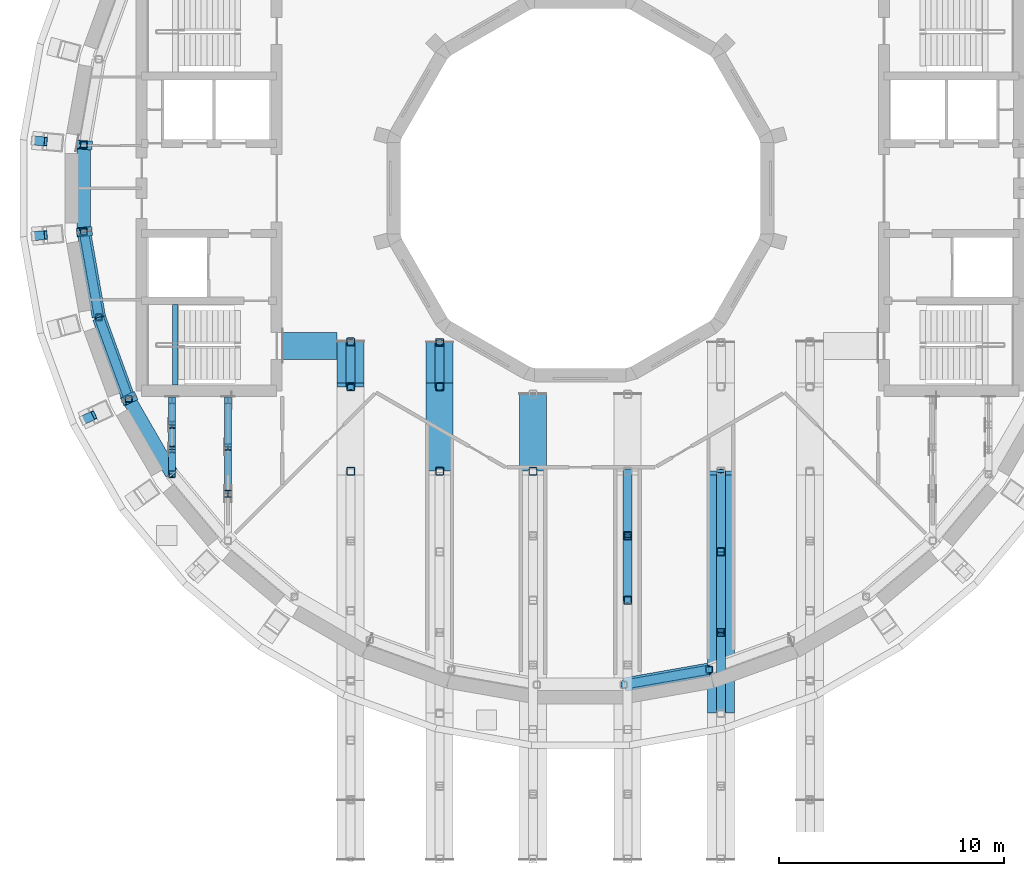
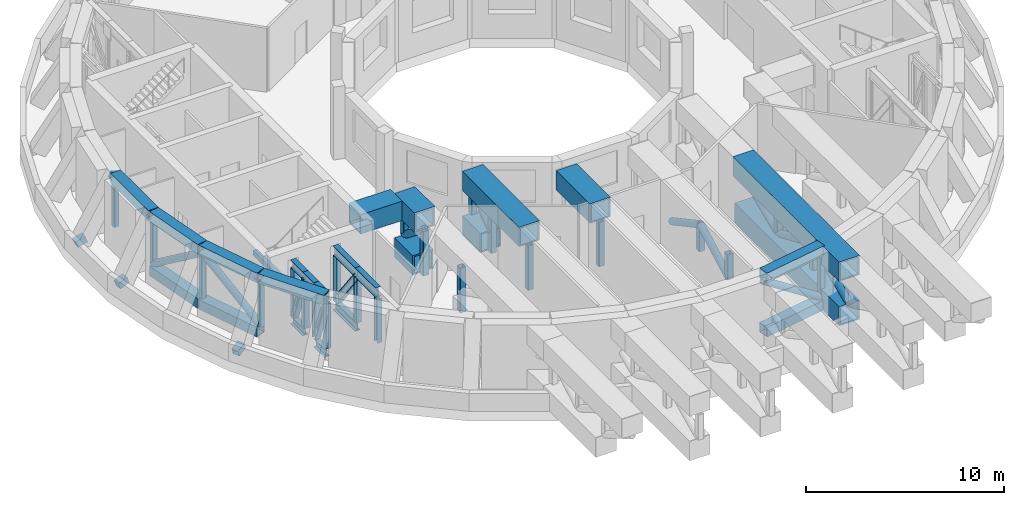
# One storey, part 3 of 20: 60 members, 7 beams.
"""IFC4 building model written with IfcOpenShell, lengths in metres."""

from ifc_helpers import new_model, si_unit, direction, frame, origin, origin_2d, place, context, subcontext, project, spatial, rectangle, hollow_rectangle, hollow_circle, i_section, extrude, material, material_profile, profile_set, type_object, element, save


model = new_model("IFC4")

# Units and contexts
model_context = context("Model", 3, precision=1e-05, world=origin(), true_north=direction((0.0, 1.0)))
body_context = subcontext(model_context, "Body", "Model", "MODEL_VIEW")
ifc_project = project(units=[si_unit("LENGTHUNIT", "METRE"), si_unit("AREAUNIT", "SQUARE_METRE"), si_unit("VOLUMEUNIT", "CUBIC_METRE"), si_unit("PLANEANGLEUNIT", "RADIAN"), si_unit("MASSUNIT", "GRAM", prefix="KILO")], contexts=[model_context])

# Site, building, storey
site_placement = place(None, origin())
site = spatial("IfcSite", under=ifc_project, at=site_placement, CompositionType="ELEMENT")
building_placement = place(site_placement, origin())
building = spatial("IfcBuilding", under=site, at=building_placement, Name="Saqina Gate Tower", CompositionType="ELEMENT")
storey_placement = place(building_placement, frame((0.0, 0.0, 220.199951171875)))
storey = spatial("IfcBuildingStorey", under=building, at=storey_placement, Name="L63", CompositionType="ELEMENT", Elevation=220.199951171875)

# Beam
ifc_material_1 = material(Name="Concrete C40/50", Category="concrete")
ifc_material_profile_1 = material_profile(ifc_material_1, rectangle(XDim=0.25, YDim=0.300048828125, at=origin_2d()), Name="STAIR LANDING BEAM")
ifc_profile_set_1 = profile_set([ifc_material_profile_1], Name="Concrete C40/50")
beam_type_1 = type_object("IfcBeamType", Name="STAIR LANDING BEAM", PredefinedType="BEAM", material=ifc_profile_set_1)
beam_placement = place(storey_placement, frame((-18.0, -8.75, 1.85009765625), z_axis=(0.0, 1.0, 0.0), x_axis=(-1.0, 0.0, 0.0)))
element("IfcBeam", 1, at=beam_placement, inside=storey, type_object=beam_type_1, Name="EXIT STAIR 4 LANDING BEAM", PredefinedType="BEAM", context=body_context, shape_type="SweptSolid", body=[
    extrude(rectangle(XDim=0.25, YDim=0.300048828125, at=origin_2d()), origin(), (0.0, 0.0, 1.0), 3.574951171875),
])

# Members
ifc_material_2 = material(Name="Steel S460", Category="steel")
ifc_material_profile_2 = material_profile(ifc_material_2, hollow_rectangle(XDim=0.60009765625, YDim=0.60009765625, WallThickness=0.0400390625, at=origin_2d()), Name="BOX 600x600x40")
ifc_profile_set_2 = profile_set([ifc_material_profile_2], Name="Steel S460")
member_type_1 = type_object("IfcMemberType", Name="STR-BELT TRUSS L63 CHORD-BOX 600x600x40", PredefinedType="CHORD", material=ifc_profile_set_2)
for number, where, z_axis, x_axis, name in (
    (2, (-22.065673828125, 1.904296875, 3.650146484375), (0.0, -1.0, 0.0), (1.0, 0.0, 0.0), "BELT TRUSS L63 CHORD 042"),
    (3, (-22.06103515625, -1.956298828125, 0.300048828125), (0.173591515108, -0.984817742469, 0.0), (0.984817742469, 0.173591515108, 0.0), "BELT TRUSS L63 CHORD 043"),
    (4, (-22.06103515625, -1.956298828125, 3.650146484375), (0.173591515108, -0.984817742469, 0.0), (0.984817742469, 0.173591515108, 0.0), "BELT TRUSS L63 CHORD 044"),
    (5, (-21.38623046875, -5.757568359375, 0.300048828125), (0.341995255876, -0.939701678704, 0.0), (0.939701678704, 0.341995255876, 0.0), "BELT TRUSS L63 CHORD 046"),
    (6, (-21.38623046875, -5.757568359375, 3.650146484375), (0.341995255876, -0.939701678704, 0.0), (0.939701678704, 0.341995255876, 0.0), "BELT TRUSS L63 CHORD 047"),
):
    element("IfcMember", number, at=place(storey_placement, frame(where, z_axis=z_axis, x_axis=x_axis)), inside=storey, type_object=member_type_1, Name=name, PredefinedType="CHORD", context=body_context, shape_type="SweptSolid", body=[
        extrude(hollow_rectangle(XDim=0.60009765625, YDim=0.60009765625, WallThickness=0.0400390625, at=origin_2d()), origin(), (0.0, 0.0, 1.0), 3.80859375),
    ])
member_1_placement = place(storey_placement, frame((-20.0615234375, -9.3837890625, 3.650146484375), z_axis=(0.500027655771, -0.866009436129, 0.0), x_axis=(0.866009436129, 0.500027655771, 0.0)))
element("IfcMember", 7, at=member_1_placement, inside=storey, type_object=member_type_1, Name="BELT TRUSS L63 CHORD 049", PredefinedType="CHORD", context=body_context, shape_type="SweptSolid", body=[
    extrude(hollow_rectangle(XDim=0.60009765625, YDim=0.60009765625, WallThickness=0.0400390625, at=origin_2d()), origin(), (0.0, 0.0, 1.0), 3.808349609375),
])
for number, where, z_axis, x_axis, name in (
    (8, (1.956298828125, -22.06103515625, 0.300048828125), (0.984817742469, 0.173591515108, 0.0), (-0.173591515108, 0.984817742469, 0.0), "BELT TRUSS L63 CHORD 064"),
    (9, (1.956298828125, -22.06103515625, 3.650146484375), (0.984817742469, 0.173591515108, 0.0), (-0.173591515108, 0.984817742469, 0.0), "BELT TRUSS L63 CHORD 065"),
):
    element("IfcMember", number, at=place(storey_placement, frame(where, z_axis=z_axis, x_axis=x_axis)), inside=storey, type_object=member_type_1, Name=name, PredefinedType="CHORD", context=body_context, shape_type="SweptSolid", body=[
        extrude(hollow_rectangle(XDim=0.60009765625, YDim=0.60009765625, WallThickness=0.0400390625, at=origin_2d()), origin(), (0.0, 0.0, 1.0), 3.80859375),
    ])
ifc_material_3 = material(Name="Steel S460", Category="steel")
ifc_material_profile_3 = material_profile(ifc_material_3, hollow_circle(Radius=0.203125, WallThickness=0.01611328125, at=origin_2d()), Name="CHS 406.4x16")
ifc_profile_set_3 = profile_set([ifc_material_profile_3], Name="Steel S460")
member_type_2 = type_object("IfcMemberType", Name="STR-BELT TRUSS L63 DIAGONAL-CHS 406.4x16", PredefinedType="BRACE", material=ifc_profile_set_3)
for number, where, z_axis, x_axis, name in (
    (10, (-22.0673828125, -1.9208984375, 0.593017578125), (0.141436387066, -0.802139045921, 0.580145412309), (0.984808250391, 0.17364535687, 0.0), "BELT TRUSS L63 DIAGONAL 045"),
    (11, (-21.398681640625, -5.7236328125, 3.35693359375), (0.27861538892, -0.765385221428, -0.580136990612), (0.939677645305, 0.342061285319, 0.0), "BELT TRUSS L63 DIAGONAL 048"),
    (12, (1.9208984375, -22.0673828125, 3.35693359375), (0.802139045921, 0.141436387066, -0.580145412309), (-0.17364535687, 0.984808250391, 0.0), "BELT TRUSS L63 DIAGONAL 066"),
):
    element("IfcMember", number, at=place(storey_placement, frame(where, z_axis=z_axis, x_axis=x_axis)), inside=storey, type_object=member_type_2, Name=name, PredefinedType="BRACE", context=body_context, shape_type="SweptSolid", body=[
        extrude(hollow_circle(Radius=0.203125, WallThickness=0.01611328125, at=origin_2d()), origin(), (0.0, 0.0, 1.0), 4.76416015625),
    ])
ifc_material_4 = material(Name="Steel S460", Category="steel")
ifc_material_profile_4 = material_profile(ifc_material_4, hollow_rectangle(XDim=0.300048828125, YDim=0.300048828125, WallThickness=0.01611328125, InnerFilletRadius=0.031982421875, OuterFilletRadius=0.048095703125, at=origin_2d()), Name="SHS 300x300x16")
ifc_profile_set_4 = profile_set([ifc_material_profile_4], Name="Steel S460")
member_type_3 = type_object("IfcMemberType", Name="STR-BELT TRUSS L63 POST-SHS 300x300x16", PredefinedType="POST", material=ifc_profile_set_4)
for number, where, z_axis, x_axis, name in (
    (13, (-22.065673828125, 1.930419921875, 0.60009765625), (0.0, 0.0, 1.0), (1.0, 0.0, 0.0), "BELT TRUSS L63 POST 101"),
    (14, (-22.065673828125, -1.930419921875, 0.60009765625), (0.0, 0.0, 1.0), (1.0, 0.0, 0.0), "BELT TRUSS L63 POST 102"),
    (15, (-21.395263671875, -5.73291015625, 0.60009765625), (0.0, 0.0, 1.0), (1.0, 0.0, 0.0), "BELT TRUSS L63 POST 103"),
    (16, (-20.07470703125, -9.361083984375, 0.60009765625), (0.0, 0.0, 1.0), (1.0, 0.0, 0.0), "BELT TRUSS L63 POST 104"),
    (17, (-18.144287109375, -12.704833984375, 0.60009765625), (0.0, 0.0, 1.0), (1.0, 0.0, 0.0), "BELT TRUSS L63 POST 105"),
    (18, (5.73291015625, -21.395263671875, 0.60009765625), (0.0, 0.0, 1.0), (1.0, 0.0, 0.0), "BELT TRUSS L63 POST 112"),
):
    element("IfcMember", number, at=place(storey_placement, frame(where, z_axis=z_axis, x_axis=x_axis)), inside=storey, type_object=member_type_3, Name=name, PredefinedType="POST", context=body_context, shape_type="SweptSolid", body=[
        extrude(hollow_rectangle(XDim=0.300048828125, YDim=0.300048828125, WallThickness=0.01611328125, InnerFilletRadius=0.031982421875, OuterFilletRadius=0.048095703125, at=origin_2d()), origin(), (0.0, 0.0, 1.0), 2.75),
    ])

# Beams
ifc_material_5 = material(Name="Steel S460", Category="steel")
ifc_material_profile_5 = material_profile(ifc_material_5, hollow_rectangle(XDim=0.39990234375, YDim=0.39990234375, WallThickness=0.030029296875, at=origin_2d()), Name="BOX 400x400x30")
ifc_profile_set_5 = profile_set([ifc_material_profile_5], Name="Steel S460")
beam_type_2 = type_object("IfcBeamType", Name="STR-NODE TIE BEAM L63-BOX 400x400x30", PredefinedType="BEAM", material=ifc_profile_set_5)
for number, where, z_axis, x_axis, name in (
    (19, (-24.30712890625, 2.126708984375, 0.1884765625), (0.938332928498, -0.082375929997, 0.335775998923), (0.087453305759, 0.996168619919, 0.0), "NODE TIE BEAM L63 18 FOOT"),
    (20, (-21.766845703125, 1.904296875, 3.565673828125), (-0.938332928498, 0.082375929997, 0.335775998923), (-0.087453305759, -0.996168619919, 0.0), "NODE TIE BEAM L63 18 HEAD"),
    (21, (-24.30712890625, -2.126708984375, 0.1884765625), (0.938332928498, 0.082375929997, 0.335775998923), (-0.087453305759, 0.996168619919, 0.0), "NODE TIE BEAM L63 19 FOOT"),
    (22, (-21.766845703125, -1.904296875, 3.565673828125), (-0.938332928498, -0.082375929997, 0.335775998923), (0.087453305759, -0.996168619919, 0.0), "NODE TIE BEAM L63 19 HEAD"),
):
    element("IfcBeam", number, at=place(storey_placement, frame(where, z_axis=z_axis, x_axis=x_axis)), inside=storey, type_object=beam_type_2, Name=name, PredefinedType="BEAM", context=body_context, shape_type="SweptSolid", body=[
        extrude(hollow_rectangle(XDim=0.39990234375, YDim=0.39990234375, WallThickness=0.030029296875, at=origin_2d()), origin(), (0.0, 0.0, 1.0), 0.583740234375),
    ])
for number, where, z_axis, x_axis, name in (
    (23, (-22.114013671875, -10.311767578125, 0.1884765625), (0.853737646481, 0.398020685333, 0.335725431011), (-0.42254525848, 0.906341825437, 0.0), "NODE TIE BEAM L63 21 FOOT"),
    (24, (-19.802734375, -9.234130859375, 3.565673828125), (-0.853737646481, -0.398020685333, 0.335725431011), (0.42254525848, -0.906341825437, 0.0), "NODE TIE BEAM L63 21 HEAD"),
):
    element("IfcBeam", number, at=place(storey_placement, frame(where, z_axis=z_axis, x_axis=x_axis)), inside=storey, type_object=beam_type_2, Name=name, PredefinedType="BEAM", context=body_context, shape_type="SweptSolid", body=[
        extrude(hollow_rectangle(XDim=0.39990234375, YDim=0.39990234375, WallThickness=0.030029296875, at=origin_2d()), origin(), (0.0, 0.0, 1.0), 0.583984375),
    ])

# Members
ifc_material_6 = material(Name="Steel S460", Category="steel")
ifc_material_profile_6 = material_profile(ifc_material_6, i_section(OverallWidth=0.300048828125, OverallDepth=0.5, WebThickness=0.014404296875, FlangeThickness=0.028076171875, FilletRadius=0.027099609375, at=origin_2d()), Name="HE 500 B")
ifc_profile_set_6 = profile_set([ifc_material_profile_6], Name="Steel S460")
member_type_4 = type_object("IfcMemberType", Name="STR-OUTRIGGER TRUSS L63 CHORD-HE 500 B", PredefinedType="CHORD", material=ifc_profile_set_6)
for number, where, z_axis, x_axis, name in (
    (25, (-18.144287109375, -9.26806640625, 0.25), (0.0, -1.0, 0.0), (1.0, 0.0, 0.0), "OUTRIGGER TRUSS L63 CHORD 150"),
    (26, (-18.144287109375, -9.26806640625, 3.699951171875), (0.0, -1.0, 0.0), (1.0, 0.0, 0.0), "OUTRIGGER TRUSS L63 CHORD 151"),
):
    element("IfcMember", number, at=place(storey_placement, frame(where, z_axis=z_axis, x_axis=x_axis)), inside=storey, type_object=member_type_4, Name=name, PredefinedType="CHORD", context=body_context, shape_type="SweptSolid", body=[
        extrude(i_section(OverallWidth=0.300048828125, OverallDepth=0.5, WebThickness=0.014404296875, FlangeThickness=0.028076171875, FilletRadius=0.027099609375, at=origin_2d()), origin(), (0.0, 0.0, 1.0), 1.24560546875),
    ])
member_2_placement = place(storey_placement, frame((-18.144287109375, -10.513671875, 3.699951171875), z_axis=(0.0, -1.0, 0.0), x_axis=(1.0, 0.0, 0.0)))
element("IfcMember", 27, at=member_2_placement, inside=storey, type_object=member_type_4, Name="OUTRIGGER TRUSS L63 CHORD 153", PredefinedType="CHORD", context=body_context, shape_type="SweptSolid", body=[
    extrude(i_section(OverallWidth=0.300048828125, OverallDepth=0.5, WebThickness=0.014404296875, FlangeThickness=0.028076171875, FilletRadius=0.027099609375, at=origin_2d()), origin(), (0.0, 0.0, 1.0), 1.095458984375),
])
for number, where, z_axis, x_axis, name in (
    (28, (-18.144287109375, -11.609130859375, 0.25), (0.0, -1.0, 0.0), (1.0, 0.0, 0.0), "OUTRIGGER TRUSS L63 CHORD 154"),
    (29, (-18.144287109375, -11.609130859375, 3.699951171875), (0.0, -1.0, 0.0), (1.0, 0.0, 0.0), "OUTRIGGER TRUSS L63 CHORD 155"),
):
    element("IfcMember", number, at=place(storey_placement, frame(where, z_axis=z_axis, x_axis=x_axis)), inside=storey, type_object=member_type_4, Name=name, PredefinedType="CHORD", context=body_context, shape_type="SweptSolid", body=[
        extrude(i_section(OverallWidth=0.300048828125, OverallDepth=0.5, WebThickness=0.014404296875, FlangeThickness=0.028076171875, FilletRadius=0.027099609375, at=origin_2d()), origin(), (0.0, 0.0, 1.0), 1.095703125),
    ])
ifc_material_7 = material(Name="Steel S460", Category="steel")
ifc_material_profile_7 = material_profile(ifc_material_7, i_section(OverallWidth=0.300048828125, OverallDepth=0.300048828125, WebThickness=0.010986328125, FlangeThickness=0.01904296875, FilletRadius=0.027099609375, at=origin_2d()), Name="HE 300 B")
ifc_profile_set_7 = profile_set([ifc_material_profile_7], Name="Steel S460")
member_type_5 = type_object("IfcMemberType", Name="STR-OUTRIGGER TRUSS L63 DIAGONAL-HE 300 B", PredefinedType="BRACE", material=ifc_profile_set_7)
for number, where, z_axis, x_axis, name in (
    (30, (-18.144287109375, -9.413818359375, 0.48876953125), (0.0, -0.348176863633, 0.937428862171), (1.0, 0.0, 0.0), "OUTRIGGER TRUSS L63 DIAGONAL 152"),
    (31, (-18.144287109375, -11.60498046875, 0.48876953125), (0.0, -0.348176863633, 0.937428862171), (1.0, 0.0, 0.0), "OUTRIGGER TRUSS L63 DIAGONAL 156"),
):
    element("IfcMember", number, at=place(storey_placement, frame(where, z_axis=z_axis, x_axis=x_axis)), inside=storey, type_object=member_type_5, Name=name, PredefinedType="BRACE", context=body_context, shape_type="SweptSolid", body=[
        extrude(i_section(OverallWidth=0.300048828125, OverallDepth=0.300048828125, WebThickness=0.010986328125, FlangeThickness=0.01904296875, FilletRadius=0.027099609375, at=origin_2d()), origin(), (0.0, 0.0, 1.0), 3.1708984375),
    ])
ifc_material_8 = material(Name="Steel S460", Category="steel")
ifc_material_profile_8 = material_profile(ifc_material_8, i_section(OverallWidth=0.300048828125, OverallDepth=0.60009765625, WebThickness=0.015380859375, FlangeThickness=0.030029296875, FilletRadius=0.027099609375, at=origin_2d()), Name="HE 600 B")
ifc_profile_set_8 = profile_set([ifc_material_profile_8], Name="Steel S460")
member_type_6 = type_object("IfcMemberType", Name="STR-OUTRIGGER TRUSS L63 LONG CHORD-HE 600 B", PredefinedType="CHORD", material=ifc_profile_set_8)
for number, where, z_axis, x_axis, name in (
    (32, (-15.662353515625, -9.26806640625, 0.300048828125), (0.0, -1.0, 0.0), (1.0, 0.0, 0.0), "OUTRIGGER TRUSS L63 LONG CHORD 190"),
    (33, (-15.662353515625, -9.26806640625, 3.650146484375), (0.0, -1.0, 0.0), (1.0, 0.0, 0.0), "OUTRIGGER TRUSS L63 LONG CHORD 191"),
):
    element("IfcMember", number, at=place(storey_placement, frame(where, z_axis=z_axis, x_axis=x_axis)), inside=storey, type_object=member_type_6, Name=name, PredefinedType="CHORD", context=body_context, shape_type="SweptSolid", body=[
        extrude(i_section(OverallWidth=0.300048828125, OverallDepth=0.60009765625, WebThickness=0.015380859375, FlangeThickness=0.030029296875, FilletRadius=0.027099609375, at=origin_2d()), origin(), (0.0, 0.0, 1.0), 2.2314453125),
    ])
member_3_placement = place(storey_placement, frame((-15.662353515625, -11.49951171875, 3.650146484375), z_axis=(0.0, -1.0, 0.0), x_axis=(1.0, 0.0, 0.0)))
element("IfcMember", 34, at=member_3_placement, inside=storey, type_object=member_type_6, Name="OUTRIGGER TRUSS L63 LONG CHORD 193", PredefinedType="CHORD", context=body_context, shape_type="SweptSolid", body=[
    extrude(i_section(OverallWidth=0.300048828125, OverallDepth=0.60009765625, WebThickness=0.015380859375, FlangeThickness=0.030029296875, FilletRadius=0.027099609375, at=origin_2d()), origin(), (0.0, 0.0, 1.0), 2.08154296875),
])
ifc_material_9 = material(Name="Steel S460", Category="steel")
ifc_material_profile_9 = material_profile(ifc_material_9, i_section(OverallWidth=0.300048828125, OverallDepth=0.39990234375, WebThickness=0.013427734375, FlangeThickness=0.02392578125, FilletRadius=0.027099609375, at=origin_2d()), Name="HE 400 B")
ifc_profile_set_9 = profile_set([ifc_material_profile_9], Name="Steel S460")
member_type_7 = type_object("IfcMemberType", Name="STR-OUTRIGGER TRUSS L63 LONG DIAGONAL-HE 400 B", PredefinedType="BRACE", material=ifc_profile_set_9)
member_4_placement = place(storey_placement, frame((-15.662353515625, -9.41064453125, 0.590576171875), z_axis=(0.0, -0.603570718671, 0.797309467875), x_axis=(1.0, 0.0, 0.0)))
element("IfcMember", 35, at=member_4_placement, inside=storey, type_object=member_type_7, Name="OUTRIGGER TRUSS L63 LONG DIAGONAL 192", PredefinedType="BRACE", context=body_context, shape_type="SweptSolid", body=[
    extrude(i_section(OverallWidth=0.300048828125, OverallDepth=0.39990234375, WebThickness=0.013427734375, FlangeThickness=0.02392578125, FilletRadius=0.027099609375, at=origin_2d()), origin(), (0.0, 0.0, 1.0), 3.472900390625),
])
ifc_material_10 = material(Name="Steel S460", Category="steel")
ifc_material_profile_10 = material_profile(ifc_material_10, i_section(OverallWidth=0.300048828125, OverallDepth=0.300048828125, WebThickness=0.010986328125, FlangeThickness=0.01904296875, FilletRadius=0.027099609375, at=origin_2d()), Name="HE 300 B")
ifc_profile_set_10 = profile_set([ifc_material_profile_10], Name="Steel S460")
member_type_8 = type_object("IfcMemberType", Name="STR-OUTRIGGER TRUSS L63 LONG POST-HE 300 B", PredefinedType="POST", material=ifc_profile_set_10)
for number, where, z_axis, x_axis, name in (
    (36, (-15.662353515625, -9.41796875, 0.60009765625), (0.0, 0.0, 1.0), (1.0, 0.0, 0.0), "OUTRIGGER TRUSS L63 LONG POST 197"),
    (37, (-15.662353515625, -11.49951171875, 0.60009765625), (0.0, 0.0, 1.0), (1.0, 0.0, 0.0), "OUTRIGGER TRUSS L63 LONG POST 198"),
    (38, (-15.662353515625, -13.5810546875, 0.60009765625), (0.0, 0.0, 1.0), (1.0, 0.0, 0.0), "OUTRIGGER TRUSS L63 LONG POST 199"),
):
    element("IfcMember", number, at=place(storey_placement, frame(where, z_axis=z_axis, x_axis=x_axis)), inside=storey, type_object=member_type_8, Name=name, PredefinedType="POST", context=body_context, shape_type="SweptSolid", body=[
        extrude(i_section(OverallWidth=0.300048828125, OverallDepth=0.300048828125, WebThickness=0.010986328125, FlangeThickness=0.01904296875, FilletRadius=0.027099609375, at=origin_2d()), origin(), (0.0, 0.0, 1.0), 2.75),
    ])
ifc_material_11 = material(Name="Steel S460", Category="steel")
ifc_material_profile_11 = material_profile(ifc_material_11, i_section(OverallWidth=0.300048828125, OverallDepth=0.300048828125, WebThickness=0.010986328125, FlangeThickness=0.01904296875, FilletRadius=0.027099609375, at=origin_2d()), Name="HE 300 B")
ifc_profile_set_11 = profile_set([ifc_material_profile_11], Name="Steel S460")
member_type_9 = type_object("IfcMemberType", Name="STR-OUTRIGGER TRUSS L63 POST-HE 300 B", PredefinedType="POST", material=ifc_profile_set_11)
for number, where, z_axis, x_axis, name in (
    (39, (-18.144287109375, -9.41796875, 0.5), (0.0, 0.0, 1.0), (1.0, 0.0, 0.0), "OUTRIGGER TRUSS L63 POST 157"),
    (40, (-18.144287109375, -10.513671875, 0.5), (0.0, 0.0, 1.0), (1.0, 0.0, 0.0), "OUTRIGGER TRUSS L63 POST 158"),
    (41, (-18.144287109375, -11.609130859375, 0.5), (0.0, 0.0, 1.0), (1.0, 0.0, 0.0), "OUTRIGGER TRUSS L63 POST 159"),
):
    element("IfcMember", number, at=place(storey_placement, frame(where, z_axis=z_axis, x_axis=x_axis)), inside=storey, type_object=member_type_9, Name=name, PredefinedType="POST", context=body_context, shape_type="SweptSolid", body=[
        extrude(i_section(OverallWidth=0.300048828125, OverallDepth=0.300048828125, WebThickness=0.010986328125, FlangeThickness=0.01904296875, FilletRadius=0.027099609375, at=origin_2d()), origin(), (0.0, 0.0, 1.0), 2.949951171875),
    ])
ifc_material_12 = material(Name="Steel S460", Category="steel")
ifc_material_profile_12 = material_profile(ifc_material_12, hollow_rectangle(XDim=1.199951171875, YDim=1.199951171875, WallThickness=0.080078125, at=origin_2d()), Name="BOX 1200x1200x80")
ifc_profile_set_12 = profile_set([ifc_material_profile_12], Name="Steel S460")
member_type_10 = type_object("IfcMemberType", Name="STR-POOL CANTILEVER TRUSS CHORD-BOX 1200x1200x80", PredefinedType="CHORD", material=ifc_profile_set_12)
member_5_placement = place(storey_placement, frame((-6.25048828125, -8.64990234375, 0.60009765625), z_axis=(0.0, 1.0, 0.0), x_axis=(-1.0, 0.0, 0.0)))
element("IfcMember", 42, at=member_5_placement, inside=storey, type_object=member_type_10, Name="POOL CANTILEVER TRUSS CHORD 226", PredefinedType="CHORD", context=body_context, shape_type="SweptSolid", body=[
    extrude(hollow_rectangle(XDim=1.199951171875, YDim=1.199951171875, WallThickness=0.080078125, at=origin_2d()), origin(), (0.0, 0.0, 1.0), 1.798095703125),
])
member_6_placement = place(storey_placement, frame((-6.25048828125, -12.574951171875, 3.35009765625), z_axis=(0.0, 1.0, 0.0), x_axis=(-1.0, 0.0, 0.0)))
element("IfcMember", 43, at=member_6_placement, inside=storey, type_object=member_type_10, Name="POOL CANTILEVER TRUSS CHORD 227", PredefinedType="CHORD", context=body_context, shape_type="SweptSolid", body=[
    extrude(hollow_rectangle(XDim=1.199951171875, YDim=1.199951171875, WallThickness=0.080078125, at=origin_2d()), origin(), (0.0, 0.0, 1.0), 5.72314453125),
])
member_7_placement = place(storey_placement, frame((-2.104736328125, -12.574951171875, 3.35009765625), z_axis=(0.0, 1.0, 0.0), x_axis=(-1.0, 0.0, 0.0)))
element("IfcMember", 44, at=member_7_placement, inside=storey, type_object=member_type_10, Name="POOL CANTILEVER TRUSS CHORD 246", PredefinedType="CHORD", context=body_context, shape_type="SweptSolid", body=[
    extrude(hollow_rectangle(XDim=1.199951171875, YDim=1.199951171875, WallThickness=0.080078125, at=origin_2d()), origin(), (0.0, 0.0, 1.0), 3.41650390625),
])
member_8_placement = place(storey_placement, frame((6.25048828125, -23.3271484375, 0.60009765625), z_axis=(0.0, 1.0, 0.0), x_axis=(-1.0, 0.0, 0.0)))
element("IfcMember", 45, at=member_8_placement, inside=storey, type_object=member_type_10, Name="POOL CANTILEVER TRUSS CHORD 282", PredefinedType="CHORD", context=body_context, shape_type="SweptSolid", body=[
    extrude(hollow_rectangle(XDim=1.199951171875, YDim=1.199951171875, WallThickness=0.080078125, at=origin_2d()), origin(), (0.0, 0.0, 1.0), 10.5771484375),
])
member_9_placement = place(storey_placement, frame((6.25048828125, -23.3271484375, 3.35009765625), z_axis=(0.0, 1.0, 0.0), x_axis=(-1.0, 0.0, 0.0)))
element("IfcMember", 46, at=member_9_placement, inside=storey, type_object=member_type_10, Name="POOL CANTILEVER TRUSS CHORD 283", PredefinedType="CHORD", context=body_context, shape_type="SweptSolid", body=[
    extrude(hollow_rectangle(XDim=1.199951171875, YDim=1.199951171875, WallThickness=0.080078125, at=origin_2d()), origin(), (0.0, 0.0, 1.0), 10.752197265625),
])
ifc_material_13 = material(Name="Steel S460", Category="steel")
ifc_material_profile_13 = material_profile(ifc_material_13, hollow_circle(Radius=0.203125, WallThickness=0.01611328125, at=origin_2d()), Name="CHS 406.4x16")
ifc_profile_set_13 = profile_set([ifc_material_profile_13], Name="Steel S460")
member_type_11 = type_object("IfcMemberType", Name="STR-POOL CANTILEVER TRUSS DIAGONAL-CHS 406.4x16", PredefinedType="BRACE", material=ifc_profile_set_13)
member_10_placement = place(storey_placement, frame((-6.25048828125, -8.83447265625, 1.192626953125), z_axis=(0.0, 0.786385216115, 0.617736425894), x_axis=(-1.0, 0.0, 0.0)))
element("IfcMember", 47, at=member_10_placement, inside=storey, type_object=member_type_11, Name="POOL CANTILEVER TRUSS DIAGONAL 233", PredefinedType="BRACE", context=body_context, shape_type="SweptSolid", body=[
    extrude(hollow_circle(Radius=0.203125, WallThickness=0.01611328125, at=origin_2d()), origin(), (0.0, 0.0, 1.0), 2.533447265625),
])
for number, where, z_axis, x_axis, name in (
    (48, (2.104736328125, -18.3271484375, 1.1943359375), (0.0, 0.87991471484, 0.475131660288), (-1.0, 0.0, 0.0), "POOL CANTILEVER TRUSS DIAGONAL 270"),
    (49, (2.104736328125, -15.456298828125, 2.755859375), (0.0, 0.87991471484, -0.475131660288), (-1.0, 0.0, 0.0), "POOL CANTILEVER TRUSS DIAGONAL 271"),
):
    element("IfcMember", number, at=place(storey_placement, frame(where, z_axis=z_axis, x_axis=x_axis)), inside=storey, type_object=member_type_11, Name=name, PredefinedType="BRACE", context=body_context, shape_type="SweptSolid", body=[
        extrude(hollow_circle(Radius=0.203125, WallThickness=0.01611328125, at=origin_2d()), origin(), (0.0, 0.0, 1.0), 3.28662109375),
    ])
member_11_placement = place(storey_placement, frame((6.25048828125, -23.338134765625, 1.1953125), z_axis=(0.0, 0.917835007654, 0.396962087264), x_axis=(-1.0, 0.0, 0.0)))
element("IfcMember", 50, at=member_11_placement, inside=storey, type_object=member_type_11, Name="POOL CANTILEVER TRUSS DIAGONAL 288", PredefinedType="BRACE", context=body_context, shape_type="SweptSolid", body=[
    extrude(hollow_circle(Radius=0.203125, WallThickness=0.01611328125, at=origin_2d()), origin(), (0.0, 0.0, 1.0), 3.9287109375),
])
for number, where, z_axis, x_axis, name in (
    (51, (6.25048828125, -19.754150390625, 2.7548828125), (0.0, 0.917844799059, -0.396939447322), (-1.0, 0.0, 0.0), "POOL CANTILEVER TRUSS DIAGONAL 289"),
    (52, (6.25048828125, -16.170166015625, 1.1953125), (0.0, 0.917844799059, 0.396939447322), (-1.0, 0.0, 0.0), "POOL CANTILEVER TRUSS DIAGONAL 290"),
):
    element("IfcMember", number, at=place(storey_placement, frame(where, z_axis=z_axis, x_axis=x_axis)), inside=storey, type_object=member_type_11, Name=name, PredefinedType="BRACE", context=body_context, shape_type="SweptSolid", body=[
        extrude(hollow_circle(Radius=0.203125, WallThickness=0.01611328125, at=origin_2d()), origin(), (0.0, 0.0, 1.0), 3.928955078125),
    ])
ifc_material_14 = material(Name="Steel S460", Category="steel")
ifc_material_profile_14 = material_profile(ifc_material_14, hollow_rectangle(XDim=1.199951171875, YDim=1.199951171875, WallThickness=0.10009765625, at=origin_2d()), Name="BOX 1200x1200x100")
ifc_profile_set_14 = profile_set([ifc_material_profile_14], Name="Steel S460")
member_type_12 = type_object("IfcMemberType", Name="STR-POOL CANTILEVER TRUSS END CHORD-BOX 1200x1200x100", PredefinedType="CHORD", material=ifc_profile_set_14)
member_12_placement = place(storey_placement, frame((-10.206298828125, -8.64990234375, 0.60009765625), z_axis=(0.0, 1.0, 0.0), x_axis=(-1.0, 0.0, 0.0)))
element("IfcMember", 53, at=member_12_placement, inside=storey, type_object=member_type_12, Name="POOL CANTILEVER TRUSS END CHORD 204", PredefinedType="CHORD", context=body_context, shape_type="SweptSolid", body=[
    extrude(hollow_rectangle(XDim=1.199951171875, YDim=1.199951171875, WallThickness=0.10009765625, at=origin_2d()), origin(), (0.0, 0.0, 1.0), 1.824951171875),
])
member_13_placement = place(storey_placement, frame((-10.206298828125, -8.824951171875, 3.35009765625), z_axis=(0.0, 1.0, 0.0), x_axis=(-1.0, 0.0, 0.0)))
element("IfcMember", 54, at=member_13_placement, inside=storey, type_object=member_type_12, Name="POOL CANTILEVER TRUSS END CHORD 205", PredefinedType="CHORD", context=body_context, shape_type="SweptSolid", body=[
    extrude(hollow_rectangle(XDim=1.199951171875, YDim=1.199951171875, WallThickness=0.10009765625, at=origin_2d()), origin(), (0.0, 0.0, 1.0), 2.0),
])
ifc_material_15 = material(Name="Steel S460", Category="steel")
ifc_material_profile_15 = material_profile(ifc_material_15, hollow_circle(Radius=0.203125, WallThickness=0.01611328125, at=origin_2d()), Name="CHS 406.4x16")
ifc_profile_set_15 = profile_set([ifc_material_profile_15], Name="Steel S460")
member_type_13 = type_object("IfcMemberType", Name="STR-POOL CANTILEVER TRUSS END DIAGONAL-CHS 406.4x16", PredefinedType="BRACE", material=ifc_profile_set_15)
member_14_placement = place(storey_placement, frame((-10.206298828125, -8.83447265625, 2.75732421875), z_axis=(0.0, 0.790426621363, -0.61255673716), x_axis=(-1.0, 0.0, 0.0)))
element("IfcMember", 55, at=member_14_placement, inside=storey, type_object=member_type_13, Name="POOL CANTILEVER TRUSS END DIAGONAL 212", PredefinedType="BRACE", context=body_context, shape_type="SweptSolid", body=[
    extrude(hollow_circle(Radius=0.203125, WallThickness=0.01611328125, at=origin_2d()), origin(), (0.0, 0.0, 1.0), 2.554443359375),
])
ifc_material_16 = material(Name="Steel S460", Category="steel")
ifc_material_profile_16 = material_profile(ifc_material_16, hollow_rectangle(XDim=0.35009765625, YDim=0.35009765625, WallThickness=0.01611328125, InnerFilletRadius=0.031982421875, OuterFilletRadius=0.048095703125, at=origin_2d()), Name="SHS 350x350x16")
ifc_profile_set_16 = profile_set([ifc_material_profile_16], Name="Steel S460")
member_type_14 = type_object("IfcMemberType", Name="STR-POOL CANTILEVER TRUSS END POST-SHS 350x350x16", PredefinedType="POST", material=ifc_profile_set_16)
for number, where, z_axis, x_axis, name in (
    (56, (-10.206298828125, -12.574951171875, 0.0), (0.0, 0.0, 1.0), (1.0, 0.0, 0.0), "POOL CANTILEVER TRUSS END POST 218"),
    (57, (-10.206298828125, -8.824951171875, 0.0), (0.0, 0.0, 1.0), (1.0, 0.0, 0.0), "POOL CANTILEVER TRUSS END POST 219"),
):
    element("IfcMember", number, at=place(storey_placement, frame(where, z_axis=z_axis, x_axis=x_axis)), inside=storey, type_object=member_type_14, Name=name, PredefinedType="POST", context=body_context, shape_type="SweptSolid", body=[
        extrude(hollow_rectangle(XDim=0.35009765625, YDim=0.35009765625, WallThickness=0.01611328125, InnerFilletRadius=0.031982421875, OuterFilletRadius=0.048095703125, at=origin_2d()), origin(), (0.0, 0.0, 1.0), 2.75),
    ])
member_15_placement = place(storey_placement, frame((-10.206298828125, -6.824951171875, 1.199951171875), z_axis=(0.0, 0.0, 1.0), x_axis=(1.0, 0.0, 0.0)))
element("IfcMember", 58, at=member_15_placement, inside=storey, type_object=member_type_14, Name="POOL CANTILEVER TRUSS END POST 220", PredefinedType="POST", context=body_context, shape_type="SweptSolid", body=[
    extrude(hollow_rectangle(XDim=0.35009765625, YDim=0.35009765625, WallThickness=0.01611328125, InnerFilletRadius=0.031982421875, OuterFilletRadius=0.048095703125, at=origin_2d()), origin(), (0.0, 0.0, 1.0), 1.550048828125),
])
ifc_material_17 = material(Name="Steel S460", Category="steel")
ifc_material_profile_17 = material_profile(ifc_material_17, hollow_rectangle(XDim=0.35009765625, YDim=0.35009765625, WallThickness=0.01611328125, InnerFilletRadius=0.031982421875, OuterFilletRadius=0.048095703125, at=origin_2d()), Name="SHS 350x350x16")
ifc_profile_set_17 = profile_set([ifc_material_profile_17], Name="Steel S460")
member_type_15 = type_object("IfcMemberType", Name="STR-POOL CANTILEVER TRUSS POST-SHS 350x350x16", PredefinedType="POST", material=ifc_profile_set_17)
for number, where, z_axis, x_axis, name in (
    (59, (-6.25048828125, -12.574951171875, 0.0), (0.0, 0.0, 1.0), (1.0, 0.0, 0.0), "POOL CANTILEVER TRUSS POST 239"),
    (60, (-6.25048828125, -8.824951171875, 0.0), (0.0, 0.0, 1.0), (1.0, 0.0, 0.0), "POOL CANTILEVER TRUSS POST 240"),
):
    element("IfcMember", number, at=place(storey_placement, frame(where, z_axis=z_axis, x_axis=x_axis)), inside=storey, type_object=member_type_15, Name=name, PredefinedType="POST", context=body_context, shape_type="SweptSolid", body=[
        extrude(hollow_rectangle(XDim=0.35009765625, YDim=0.35009765625, WallThickness=0.01611328125, InnerFilletRadius=0.031982421875, OuterFilletRadius=0.048095703125, at=origin_2d()), origin(), (0.0, 0.0, 1.0), 2.75),
    ])
member_16_placement = place(storey_placement, frame((-6.25048828125, -6.851806640625, 1.199951171875), z_axis=(0.0, 0.0, 1.0), x_axis=(1.0, 0.0, 0.0)))
element("IfcMember", 61, at=member_16_placement, inside=storey, type_object=member_type_15, Name="POOL CANTILEVER TRUSS POST 241", PredefinedType="POST", context=body_context, shape_type="SweptSolid", body=[
    extrude(hollow_rectangle(XDim=0.35009765625, YDim=0.35009765625, WallThickness=0.01611328125, InnerFilletRadius=0.031982421875, OuterFilletRadius=0.048095703125, at=origin_2d()), origin(), (0.0, 0.0, 1.0), 1.550048828125),
])
member_17_placement = place(storey_placement, frame((-2.104736328125, -12.574951171875, 0.0), z_axis=(0.0, 0.0, 1.0), x_axis=(1.0, 0.0, 0.0)))
element("IfcMember", 62, at=member_17_placement, inside=storey, type_object=member_type_15, Name="POOL CANTILEVER TRUSS POST 259", PredefinedType="POST", context=body_context, shape_type="SweptSolid", body=[
    extrude(hollow_rectangle(XDim=0.35009765625, YDim=0.35009765625, WallThickness=0.01611328125, InnerFilletRadius=0.031982421875, OuterFilletRadius=0.048095703125, at=origin_2d()), origin(), (0.0, 0.0, 1.0), 2.75),
])
for number, where, z_axis, x_axis, name in (
    (63, (2.104736328125, -18.316650390625, 1.199951171875), (0.0, 0.0, 1.0), (1.0, 0.0, 0.0), "POOL CANTILEVER TRUSS POST 276"),
    (64, (2.104736328125, -15.44580078125, 1.199951171875), (0.0, 0.0, 1.0), (1.0, 0.0, 0.0), "POOL CANTILEVER TRUSS POST 277"),
    (65, (6.25048828125, -19.7431640625, 1.199951171875), (0.0, 0.0, 1.0), (1.0, 0.0, 0.0), "POOL CANTILEVER TRUSS POST 295"),
    (66, (6.25048828125, -16.158935546875, 1.199951171875), (0.0, 0.0, 1.0), (1.0, 0.0, 0.0), "POOL CANTILEVER TRUSS POST 296"),
):
    element("IfcMember", number, at=place(storey_placement, frame(where, z_axis=z_axis, x_axis=x_axis)), inside=storey, type_object=member_type_15, Name=name, PredefinedType="POST", context=body_context, shape_type="SweptSolid", body=[
        extrude(hollow_rectangle(XDim=0.35009765625, YDim=0.35009765625, WallThickness=0.01611328125, InnerFilletRadius=0.031982421875, OuterFilletRadius=0.048095703125, at=origin_2d()), origin(), (0.0, 0.0, 1.0), 1.550048828125),
    ])
ifc_material_18 = material(Name="Steel S460", Category="steel")
ifc_material_profile_18 = material_profile(ifc_material_18, hollow_rectangle(XDim=1.199951171875, YDim=1.199951171875, WallThickness=0.080078125, at=origin_2d()), Name="BOX 1200x1200x80")
ifc_profile_set_18 = profile_set([ifc_material_profile_18], Name="Steel S460")
member_type_16 = type_object("IfcMemberType", Name="STR-POOL TIE GIRDER-BOX 1200x1200x80", PredefinedType="CHORD", material=ifc_profile_set_18)
member_18_placement = place(storey_placement, frame((-10.80615234375, -7.0, 3.35009765625), z_axis=(-1.0, 0.0, 0.0), x_axis=(0.0, -1.0, 0.0)))
element("IfcMember", 67, at=member_18_placement, inside=storey, type_object=member_type_16, Name="POOL TIE GIRDER L63 221", PredefinedType="CHORD", context=body_context, shape_type="SweptSolid", body=[
    extrude(hollow_rectangle(XDim=1.199951171875, YDim=1.199951171875, WallThickness=0.080078125, at=origin_2d()), origin(), (0.0, 0.0, 1.0), 2.42578125),
])

save(model, "model.ifc")
